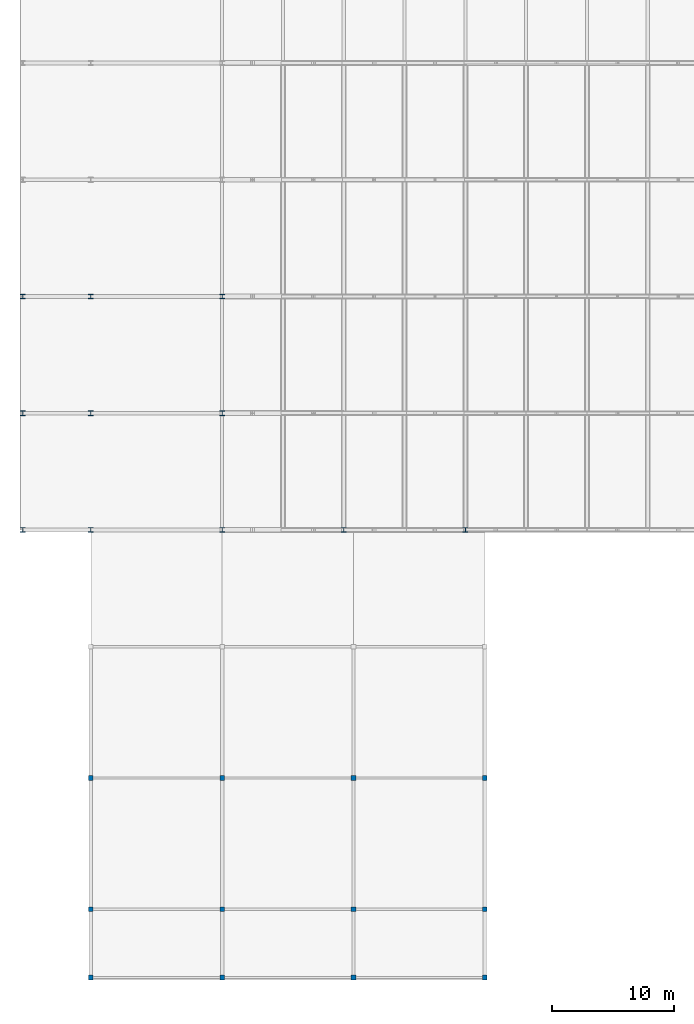
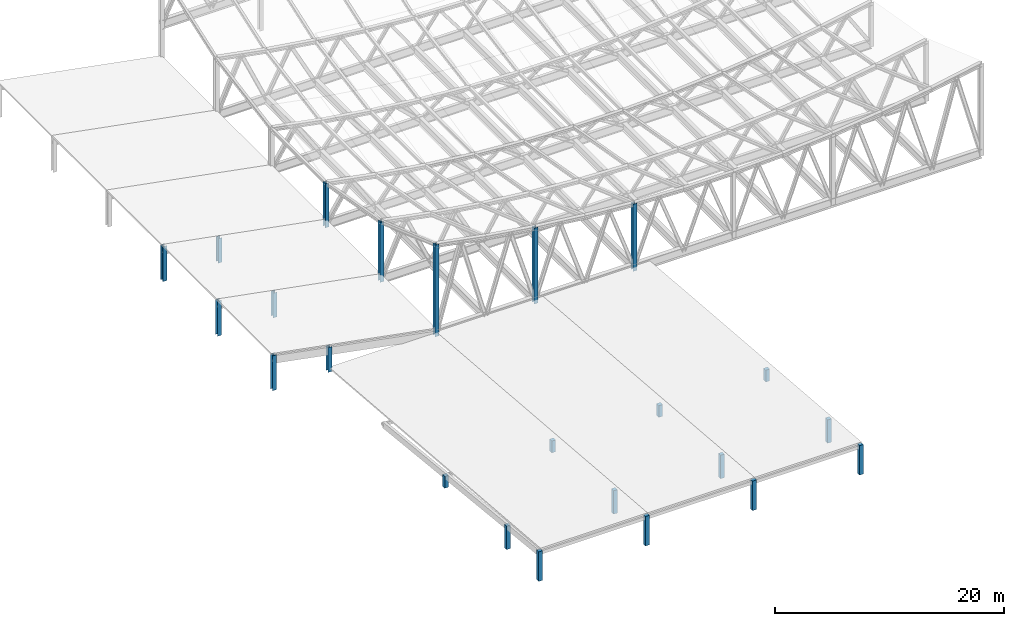
# One storey, part 1 of 40: 23 columns.
"""IFC4 building model written with IfcOpenShell, lengths in metres."""

from ifc_helpers import new_model, si_unit, direction, frame, origin, origin_2d, place, context, subcontext, project, spatial, rectangle, i_section, extrude, material, material_profile, profile_set, type_object, element, save


model = new_model("IFC4")

# Units and contexts
model_context = context("Model", 3, precision=1e-05, world=origin(), true_north=direction((0.0, 1.0)))
body_context = subcontext(model_context, "Body", "Model", "MODEL_VIEW")
ifc_project = project(units=[si_unit("LENGTHUNIT", "METRE"), si_unit("AREAUNIT", "SQUARE_METRE"), si_unit("VOLUMEUNIT", "CUBIC_METRE"), si_unit("PLANEANGLEUNIT", "RADIAN"), si_unit("MASSUNIT", "GRAM", prefix="KILO")], contexts=[model_context])

# Site, building, storey
site_placement = place(None, origin())
site = spatial("IfcSite", under=ifc_project, at=site_placement, CompositionType="ELEMENT")
building_placement = place(site_placement, origin())
building = spatial("IfcBuilding", under=site, at=building_placement, Name="Veldera Park Congress Hotel", CompositionType="ELEMENT")
storey_placement = place(building_placement, frame((0.0, 0.0, 16.199951171875)))
storey = spatial("IfcBuildingStorey", under=building, at=storey_placement, Name="L03", CompositionType="ELEMENT", Elevation=16.199951171875)

# Columns
ifc_material_1 = material(Name="Glulam GL28h (NDS 24F-V4)", Category="wood")
ifc_material_profile_1 = material_profile(ifc_material_1, rectangle(XDim=0.389892578125, YDim=0.389892578125, at=origin_2d()), Name="GL28h 390x390")
ifc_profile_set_1 = profile_set([ifc_material_profile_1], Name="Glulam GL28h (NDS 24F-V4)")
column_type_1 = type_object("IfcColumnType", Name="COL-GL36E", PredefinedType="COLUMN", material=ifc_profile_set_1)
column_1_placement = place(storey_placement, frame((-78.199951171875, -57.800048828125, 0.0), z_axis=(0.0, 0.0, 1.0), x_axis=(1.0, 0.0, 0.0)))
element("IfcColumn", 1, at=column_1_placement, inside=storey, type_object=column_type_1, Name="L03 Column COL-GL36E (-78.2,-57.8)", PredefinedType="COLUMN", context=body_context, shape_type="SweptSolid", body=[
    extrude(rectangle(XDim=0.389892578125, YDim=0.389892578125, at=origin_2d()), origin(), (0.0, 0.0, 1.0), 3.150146484375),
])
column_2_placement = place(storey_placement, frame((-78.199951171875, -52.199951171875, 0.0), z_axis=(0.0, 0.0, 1.0), x_axis=(1.0, 0.0, 0.0)))
element("IfcColumn", 2, at=column_2_placement, inside=storey, type_object=column_type_1, Name="L03 Column COL-GL36E (-78.2,-52.2)", PredefinedType="COLUMN", context=body_context, shape_type="SweptSolid", body=[
    extrude(rectangle(XDim=0.389892578125, YDim=0.389892578125, at=origin_2d()), origin(), (0.0, 0.0, 1.0), 2.5),
])
column_3_placement = place(storey_placement, frame((-78.199951171875, -41.39990234375, 0.0), z_axis=(0.0, 0.0, 1.0), x_axis=(1.0, 0.0, 0.0)))
element("IfcColumn", 3, at=column_3_placement, inside=storey, type_object=column_type_1, Name="L03 Column COL-GL36E (-78.2,-41.4)", PredefinedType="COLUMN", context=body_context, shape_type="SweptSolid", body=[
    extrude(rectangle(XDim=0.389892578125, YDim=0.389892578125, at=origin_2d()), origin(), (0.0, 0.0, 1.0), 1.25),
])
column_4_placement = place(storey_placement, frame((-67.39990234375, -57.800048828125, 0.0), z_axis=(0.0, 0.0, 1.0), x_axis=(1.0, 0.0, 0.0)))
element("IfcColumn", 4, at=column_4_placement, inside=storey, type_object=column_type_1, Name="L03 Column COL-GL36E (-67.4,-57.8)", PredefinedType="COLUMN", context=body_context, shape_type="SweptSolid", body=[
    extrude(rectangle(XDim=0.389892578125, YDim=0.389892578125, at=origin_2d()), origin(), (0.0, 0.0, 1.0), 3.150146484375),
])
column_5_placement = place(storey_placement, frame((-67.39990234375, -52.199951171875, 0.0), z_axis=(0.0, 0.0, 1.0), x_axis=(1.0, 0.0, 0.0)))
element("IfcColumn", 5, at=column_5_placement, inside=storey, type_object=column_type_1, Name="L03 Column COL-GL36E (-67.4,-52.2)", PredefinedType="COLUMN", context=body_context, shape_type="SweptSolid", body=[
    extrude(rectangle(XDim=0.389892578125, YDim=0.389892578125, at=origin_2d()), origin(), (0.0, 0.0, 1.0), 2.5),
])
column_6_placement = place(storey_placement, frame((-67.39990234375, -41.39990234375, 0.0), z_axis=(0.0, 0.0, 1.0), x_axis=(1.0, 0.0, 0.0)))
element("IfcColumn", 6, at=column_6_placement, inside=storey, type_object=column_type_1, Name="L03 Column COL-GL36E (-67.4,-41.4)", PredefinedType="COLUMN", context=body_context, shape_type="SweptSolid", body=[
    extrude(rectangle(XDim=0.389892578125, YDim=0.389892578125, at=origin_2d()), origin(), (0.0, 0.0, 1.0), 1.25),
])
column_7_placement = place(storey_placement, frame((-56.60009765625, -57.800048828125, 0.0), z_axis=(0.0, 0.0, 1.0), x_axis=(1.0, 0.0, 0.0)))
element("IfcColumn", 7, at=column_7_placement, inside=storey, type_object=column_type_1, Name="L03 Column COL-GL36E (-56.6,-57.8)", PredefinedType="COLUMN", context=body_context, shape_type="SweptSolid", body=[
    extrude(rectangle(XDim=0.389892578125, YDim=0.389892578125, at=origin_2d()), origin(), (0.0, 0.0, 1.0), 3.150146484375),
])
column_8_placement = place(storey_placement, frame((-56.60009765625, -52.199951171875, 0.0), z_axis=(0.0, 0.0, 1.0), x_axis=(1.0, 0.0, 0.0)))
element("IfcColumn", 8, at=column_8_placement, inside=storey, type_object=column_type_1, Name="L03 Column COL-GL36E (-56.6,-52.2)", PredefinedType="COLUMN", context=body_context, shape_type="SweptSolid", body=[
    extrude(rectangle(XDim=0.389892578125, YDim=0.389892578125, at=origin_2d()), origin(), (0.0, 0.0, 1.0), 2.5),
])
column_9_placement = place(storey_placement, frame((-56.60009765625, -41.39990234375, 0.0), z_axis=(0.0, 0.0, 1.0), x_axis=(1.0, 0.0, 0.0)))
element("IfcColumn", 9, at=column_9_placement, inside=storey, type_object=column_type_1, Name="L03 Column COL-GL36E (-56.6,-41.4)", PredefinedType="COLUMN", context=body_context, shape_type="SweptSolid", body=[
    extrude(rectangle(XDim=0.389892578125, YDim=0.389892578125, at=origin_2d()), origin(), (0.0, 0.0, 1.0), 1.25),
])
column_10_placement = place(storey_placement, frame((-45.800048828125, -57.800048828125, 0.0), z_axis=(0.0, 0.0, 1.0), x_axis=(1.0, 0.0, 0.0)))
element("IfcColumn", 10, at=column_10_placement, inside=storey, type_object=column_type_1, Name="L03 Column COL-GL36E (-45.8,-57.8)", PredefinedType="COLUMN", context=body_context, shape_type="SweptSolid", body=[
    extrude(rectangle(XDim=0.389892578125, YDim=0.389892578125, at=origin_2d()), origin(), (0.0, 0.0, 1.0), 3.150146484375),
])
column_11_placement = place(storey_placement, frame((-45.800048828125, -52.199951171875, 0.0), z_axis=(0.0, 0.0, 1.0), x_axis=(1.0, 0.0, 0.0)))
element("IfcColumn", 11, at=column_11_placement, inside=storey, type_object=column_type_1, Name="L03 Column COL-GL36E (-45.8,-52.2)", PredefinedType="COLUMN", context=body_context, shape_type="SweptSolid", body=[
    extrude(rectangle(XDim=0.389892578125, YDim=0.389892578125, at=origin_2d()), origin(), (0.0, 0.0, 1.0), 2.5),
])
column_12_placement = place(storey_placement, frame((-45.800048828125, -41.39990234375, 0.0), z_axis=(0.0, 0.0, 1.0), x_axis=(1.0, 0.0, 0.0)))
element("IfcColumn", 12, at=column_12_placement, inside=storey, type_object=column_type_1, Name="L03 Column COL-GL36E (-45.8,-41.4)", PredefinedType="COLUMN", context=body_context, shape_type="SweptSolid", body=[
    extrude(rectangle(XDim=0.389892578125, YDim=0.389892578125, at=origin_2d()), origin(), (0.0, 0.0, 1.0), 1.25),
])
ifc_material_2 = material(Name="Steel ASTM A992 Gr.50", Category="steel")
ifc_material_profile_2 = material_profile(ifc_material_2, i_section(OverallWidth=0.39697265625, OverallDepth=0.386962890625, WebThickness=0.02099609375, FlangeThickness=0.033203125, at=origin_2d()), Name="W14X176")
ifc_profile_set_2 = profile_set([ifc_material_profile_2], Name="Steel ASTM A992 Gr.50")
column_type_2 = type_object("IfcColumnType", Name="COL-STL176", PredefinedType="COLUMN", material=ifc_profile_set_2)
column_13_placement = place(storey_placement, frame((-67.39990234375, -11.39990234375, 0.0), z_axis=(0.0, 0.0, 1.0), x_axis=(1.0, 0.0, 0.0)))
element("IfcColumn", 13, at=column_13_placement, inside=storey, type_object=column_type_2, Name="L03 Column COL-STL176 (-67.4,-11.4)", PredefinedType="COLUMN", context=body_context, shape_type="SweptSolid", body=[
    extrude(i_section(OverallWidth=0.39697265625, OverallDepth=0.386962890625, WebThickness=0.02099609375, FlangeThickness=0.033203125, at=origin_2d()), origin(), (0.0, 0.0, 1.0), 6.38916015625),
])
column_14_placement = place(storey_placement, frame((-67.39990234375, -1.800048828125, 0.0), z_axis=(0.0, 0.0, 1.0), x_axis=(1.0, 0.0, 0.0)))
element("IfcColumn", 14, at=column_14_placement, inside=storey, type_object=column_type_2, Name="L03 Column COL-STL176 (-67.4,-1.8)", PredefinedType="COLUMN", context=body_context, shape_type="SweptSolid", body=[
    extrude(i_section(OverallWidth=0.39697265625, OverallDepth=0.386962890625, WebThickness=0.02099609375, FlangeThickness=0.033203125, at=origin_2d()), origin(), (0.0, 0.0, 1.0), 4.695556640625),
])
ifc_material_profile_3 = material_profile(ifc_material_2, i_section(OverallWidth=0.39892578125, OverallDepth=0.39306640625, WebThickness=0.022705078125, FlangeThickness=0.03662109375, at=origin_2d()), Name="W14X193")
ifc_profile_set_3 = profile_set([ifc_material_profile_3], Name="Steel ASTM A992 Gr.50")
column_type_3 = type_object("IfcColumnType", Name="COL-STL176E", PredefinedType="COLUMN", material=ifc_profile_set_3)
column_15_placement = place(storey_placement, frame((-83.800048828125, -21.0, 0.0), z_axis=(0.0, 0.0, 1.0), x_axis=(1.0, 0.0, 0.0)))
element("IfcColumn", 15, at=column_15_placement, inside=storey, type_object=column_type_3, Name="L03 Column COL-STL176E (-83.8,-21.0)", PredefinedType="COLUMN", context=body_context, shape_type="SweptSolid", body=[
    extrude(i_section(OverallWidth=0.39892578125, OverallDepth=0.39306640625, WebThickness=0.022705078125, FlangeThickness=0.03662109375, at=origin_2d()), origin(), (0.0, 0.0, 1.0), 3.719970703125),
])
column_16_placement = place(storey_placement, frame((-78.199951171875, -21.0, 0.0), z_axis=(0.0, 0.0, 1.0), x_axis=(1.0, 0.0, 0.0)))
element("IfcColumn", 16, at=column_16_placement, inside=storey, type_object=column_type_3, Name="L03 Column COL-STL176E (-78.2,-21.0)", PredefinedType="COLUMN", context=body_context, shape_type="SweptSolid", body=[
    extrude(i_section(OverallWidth=0.39892578125, OverallDepth=0.39306640625, WebThickness=0.022705078125, FlangeThickness=0.03662109375, at=origin_2d()), origin(), (0.0, 0.0, 1.0), 2.6201171875),
])
column_17_placement = place(storey_placement, frame((-67.39990234375, -21.0, 0.0), z_axis=(0.0, 0.0, 1.0), x_axis=(1.0, 0.0, 0.0)))
element("IfcColumn", 17, at=column_17_placement, inside=storey, type_object=column_type_3, Name="L03 Column COL-STL176E (-67.4,-21.0)", PredefinedType="COLUMN", context=body_context, shape_type="SweptSolid", body=[
    extrude(i_section(OverallWidth=0.39892578125, OverallDepth=0.39306640625, WebThickness=0.022705078125, FlangeThickness=0.03662109375, at=origin_2d()), origin(), (0.0, 0.0, 1.0), 9.776123046875),
])
column_18_placement = place(storey_placement, frame((-83.800048828125, -11.39990234375, 0.0), z_axis=(0.0, 0.0, 1.0), x_axis=(1.0, 0.0, 0.0)))
element("IfcColumn", 18, at=column_18_placement, inside=storey, type_object=column_type_3, Name="L03 Column COL-STL176E (-83.8,-11.4)", PredefinedType="COLUMN", context=body_context, shape_type="SweptSolid", body=[
    extrude(i_section(OverallWidth=0.39892578125, OverallDepth=0.39306640625, WebThickness=0.022705078125, FlangeThickness=0.03662109375, at=origin_2d()), origin(), (0.0, 0.0, 1.0), 3.719970703125),
])
column_19_placement = place(storey_placement, frame((-78.199951171875, -11.39990234375, 0.0), z_axis=(0.0, 0.0, 1.0), x_axis=(1.0, 0.0, 0.0)))
element("IfcColumn", 19, at=column_19_placement, inside=storey, type_object=column_type_3, Name="L03 Column COL-STL176E (-78.2,-11.4)", PredefinedType="COLUMN", context=body_context, shape_type="SweptSolid", body=[
    extrude(i_section(OverallWidth=0.39892578125, OverallDepth=0.39306640625, WebThickness=0.022705078125, FlangeThickness=0.03662109375, at=origin_2d()), origin(), (0.0, 0.0, 1.0), 2.6201171875),
])
column_20_placement = place(storey_placement, frame((-83.800048828125, -1.800048828125, 0.0), z_axis=(0.0, 0.0, 1.0), x_axis=(1.0, 0.0, 0.0)))
element("IfcColumn", 20, at=column_20_placement, inside=storey, type_object=column_type_3, Name="L03 Column COL-STL176E (-83.8,-1.8)", PredefinedType="COLUMN", context=body_context, shape_type="SweptSolid", body=[
    extrude(i_section(OverallWidth=0.39892578125, OverallDepth=0.39306640625, WebThickness=0.022705078125, FlangeThickness=0.03662109375, at=origin_2d()), origin(), (0.0, 0.0, 1.0), 3.719970703125),
])
column_21_placement = place(storey_placement, frame((-78.199951171875, -1.800048828125, 0.0), z_axis=(0.0, 0.0, 1.0), x_axis=(1.0, 0.0, 0.0)))
element("IfcColumn", 21, at=column_21_placement, inside=storey, type_object=column_type_3, Name="L03 Column COL-STL176E (-78.2,-1.8)", PredefinedType="COLUMN", context=body_context, shape_type="SweptSolid", body=[
    extrude(i_section(OverallWidth=0.39892578125, OverallDepth=0.39306640625, WebThickness=0.022705078125, FlangeThickness=0.03662109375, at=origin_2d()), origin(), (0.0, 0.0, 1.0), 2.6201171875),
])
column_22_placement = place(storey_placement, frame((-57.39990234375, -21.0, 0.0), z_axis=(0.0, 0.0, 1.0), x_axis=(1.0, 0.0, 0.0)))
element("IfcColumn", 22, at=column_22_placement, inside=storey, type_object=column_type_3, Name="L03 Column COL-STL176E (-57.4,-21.0)", PredefinedType="COLUMN", context=body_context, shape_type="SweptSolid", body=[
    extrude(i_section(OverallWidth=0.39892578125, OverallDepth=0.39306640625, WebThickness=0.022705078125, FlangeThickness=0.03662109375, at=origin_2d()), origin(), (0.0, 0.0, 1.0), 8.0849609375),
])
column_23_placement = place(storey_placement, frame((-47.39990234375, -21.0, 0.0), z_axis=(0.0, 0.0, 1.0), x_axis=(1.0, 0.0, 0.0)))
element("IfcColumn", 23, at=column_23_placement, inside=storey, type_object=column_type_3, Name="L03 Column COL-STL176E (-47.4,-21.0)", PredefinedType="COLUMN", context=body_context, shape_type="SweptSolid", body=[
    extrude(i_section(OverallWidth=0.39892578125, OverallDepth=0.39306640625, WebThickness=0.022705078125, FlangeThickness=0.03662109375, at=origin_2d()), origin(), (0.0, 0.0, 1.0), 7.148681640625),
])

save(model, "model.ifc")
